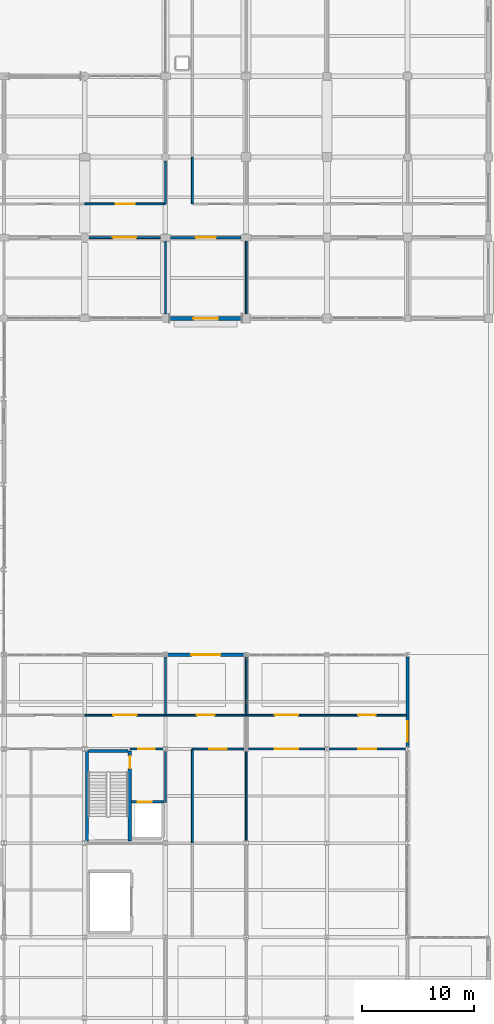
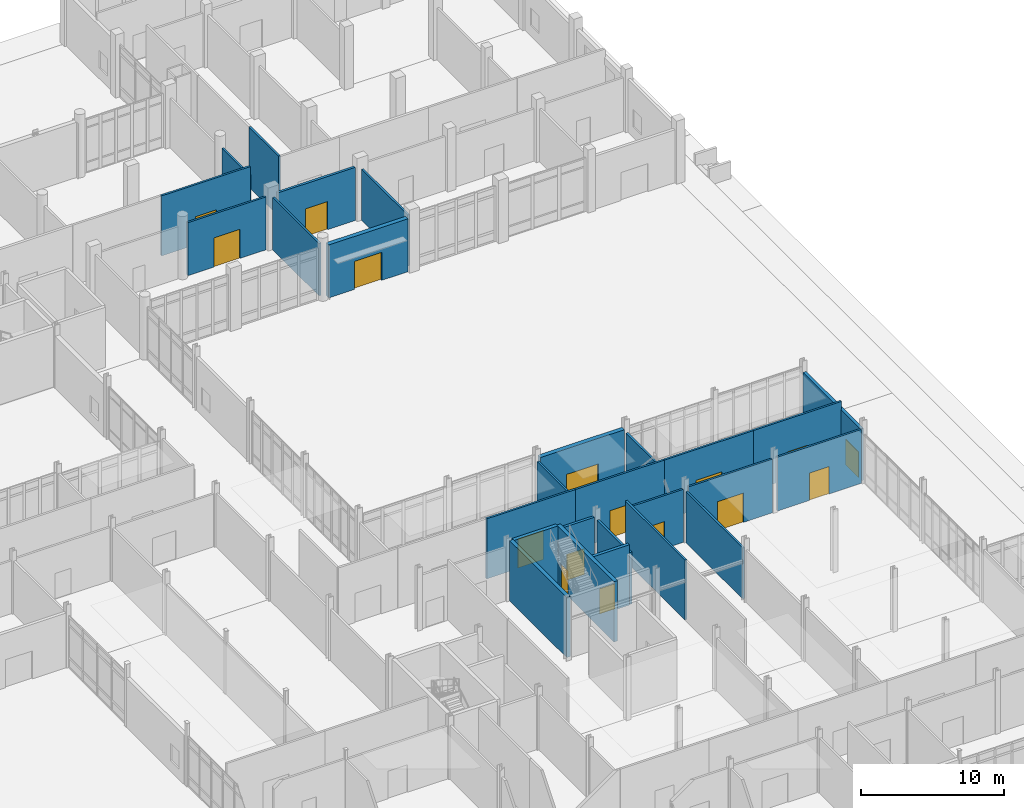
# One storey, part 200 of 229: 27 walls, 16 doors, 16 openings.
"""IFC4 building model written with IfcOpenShell, lengths in metres."""

from ifc_helpers import new_model, si_unit, direction, frame, frame_2d, origin, place, context, subcontext, project, spatial, rectangle, extrude, material, layer, layer_set, type_object, element, fill, save


model = new_model("IFC4")

# Units and contexts
model_context = context("Model", 3, precision=1e-05, world=origin(), true_north=direction((0.0, 1.0)))
body_context = subcontext(model_context, "Body", "Model", "MODEL_VIEW")
ifc_project = project(units=[si_unit("LENGTHUNIT", "METRE"), si_unit("AREAUNIT", "SQUARE_METRE"), si_unit("VOLUMEUNIT", "CUBIC_METRE"), si_unit("PLANEANGLEUNIT", "RADIAN"), si_unit("MASSUNIT", "GRAM", prefix="KILO")], contexts=[model_context])

# Site, building, storey
site_placement = place(None, origin())
site = spatial("IfcSite", under=ifc_project, at=site_placement, CompositionType="ELEMENT")
building_placement = place(site_placement, origin())
building = spatial("IfcBuilding", under=site, at=building_placement, Name="Calvrana Isthmian Art Gallery", CompositionType="ELEMENT")
storey_placement = place(building_placement, origin())
storey = spatial("IfcBuildingStorey", under=building, at=storey_placement, Name="L00", CompositionType="ELEMENT", Elevation=0.0)

# Wall
ifc_material_1 = material(Name="Concrete C40/50", Category="concrete")
ifc_layer_1 = layer(ifc_material_1, 0.300048828125, Name="Concrete C40/50")
ifc_layer_set_1 = layer_set([ifc_layer_1], Name="Concrete C40/50")
wall_type_1 = type_object("IfcWallType", Name="CW-SHAFT-300", PredefinedType="SHEAR", material=ifc_layer_set_1)
wall_1_placement = place(storey_placement, frame((127.39990234375, 30.18994140625, 0.0), z_axis=(0.0, 0.0, 1.0), x_axis=(0.0, 1.0, 0.0)))
element("IfcWall", 1, at=wall_1_placement, inside=storey, type_object=wall_type_1, Name="Core C4 shear wall W L00", PredefinedType="SHEAR", context=body_context, shape_type="SweptSolid", body=[
    extrude(rectangle(XDim=8.02001953125, YDim=0.300048828125, at=frame_2d((4.010009765625, 0.0))), origin(), (0.0, 0.0, 1.0), 5.159912109375),
])

# Wall, opening, door
wall_2_placement = place(storey_placement, frame((131.219970703125, 30.18994140625, 0.0), z_axis=(0.0, 0.0, 1.0), x_axis=(0.0, 1.0, 0.0)))
wall_2 = element("IfcWall", 2, at=wall_2_placement, inside=storey, type_object=wall_type_1, Name="Core C4 shear wall E L00", PredefinedType="SHEAR", context=body_context, shape_type="SweptSolid", body=[
    extrude(rectangle(XDim=8.02001953125, YDim=0.300048828125, at=frame_2d((4.010009765625, 0.0))), origin(), (0.0, 0.0, 1.0), 5.159912109375),
])
opening_1_placement = place(wall_2_placement, frame((6.469970703125, 0.0, 0.0)))
opening_1 = element("IfcOpeningElement", 3, at=opening_1_placement, cuts=wall_2, Name="Opening D-144", PredefinedType="OPENING", context=body_context, shape_type="SweptSolid", body=[
    extrude(rectangle(XDim=1.10009765625, YDim=2.14990234375, at=frame_2d((0.550048828125, 1.074951171875))), frame((0.0, 0.16015625, 0.0), z_axis=(0.0, -1.0, 0.0), x_axis=(1.0, 0.0, 0.0)), (0.0, 0.0, 1.0), 0.320556640625),
])
ifc_material_2 = material(Name="Steel ASTM A572 Gr 50", Category="steel")
door_type_1 = type_object("IfcDoorType", Name="DR-FIRE-1100", OperationType="NOTDEFINED", PredefinedType="DOOR", material=ifc_material_2)
door_1_placement = place(opening_1_placement, origin())
door_1 = element("IfcDoor", 4, at=door_1_placement, inside=storey, type_object=door_type_1, Name="Stair ST-4 fire door L00", OperationType="SINGLE_SWING_LEFT", OverallHeight=2.14990234375, OverallWidth=1.10009765625, PredefinedType="DOOR", context=body_context, shape_type="SweptSolid", body=[
    extrude(rectangle(XDim=1.10009765625, YDim=2.14990234375, at=frame_2d((0.550048828125, 1.074951171875))), frame((0.0, 0.02490234375, 0.0), z_axis=(0.0, -1.0, 0.0), x_axis=(1.0, 0.0, 0.0)), (0.0, 0.0, 1.0), 0.050048828125),
])
fill(opening_1, door_1)

# Wall
wall_3_placement = place(storey_placement, frame((127.550048828125, 38.2099609375, 0.0), z_axis=(0.0, 0.0, 1.0), x_axis=(1.0, 0.0, 0.0)))
element("IfcWall", 5, at=wall_3_placement, inside=storey, type_object=wall_type_1, Name="Core C4 shear wall N L00", PredefinedType="SHEAR", context=body_context, shape_type="SweptSolid", body=[
    extrude(rectangle(XDim=3.52001953125, YDim=0.300048828125, at=frame_2d((1.760009765625, 0.0))), origin(), (0.0, 0.0, 1.0), 5.159912109375),
])

# Wall, opening, door
ifc_material_3 = material(Name="Precast concrete C40/50", Category="concrete")
ifc_layer_2 = layer(ifc_material_3, 0.35009765625, Name="Precast concrete C40/50")
ifc_layer_set_2 = layer_set([ifc_layer_2], Name="Precast concrete C40/50")
wall_type_2 = type_object("IfcWallType", Name="EW-PREC-350", PredefinedType="SOLIDWALL", material=ifc_layer_set_2)
wall_4_placement = place(storey_placement, frame((134.60205078125, 46.800048828125, 0.0), z_axis=(0.0, 0.0, 1.0), x_axis=(1.0, 0.0, 0.0)))
wall_4 = element("IfcWall", 6, at=wall_4_placement, inside=storey, type_object=wall_type_2, Name="Exterior wall EW-014", PredefinedType="SOLIDWALL", context=body_context, shape_type="SweptSolid", body=[
    extrude(rectangle(XDim=6.79833984375, YDim=0.35009765625, at=frame_2d((3.399169921875, 0.0))), origin(), (0.0, 0.0, 1.0), 4.591064453125),
])
opening_2_placement = place(wall_4_placement, frame((2.09912109375, 0.0, 0.0)))
opening_2 = element("IfcOpeningElement", 7, at=opening_2_placement, cuts=wall_4, Name="Opening VG-02", PredefinedType="OPENING", context=body_context, shape_type="SweptSolid", body=[
    extrude(rectangle(XDim=2.60009765625, YDim=2.39990234375, at=frame_2d((1.300048828125, 1.199951171875))), frame((0.0, 0.185302734375, 0.0), z_axis=(0.0, -1.0, 0.0), x_axis=(1.0, 0.0, 0.0)), (0.0, 0.0, 1.0), 0.37060546875),
])
ifc_material_4 = material(Name="Anodized bronze aluminium 6063-T6", Category="aluminium")
door_type_2 = type_object("IfcDoorType", Name="GT-COURT-2600", OperationType="DOUBLE_DOOR_SINGLE_SWING", PredefinedType="GATE", material=ifc_material_4)
door_2_placement = place(opening_2_placement, origin())
door_2 = element("IfcDoor", 8, at=door_2_placement, inside=storey, type_object=door_type_2, Name="Service court security gate VG-02", OperationType="DOUBLE_DOOR_SINGLE_SWING", OverallHeight=2.39990234375, OverallWidth=2.60009765625, PredefinedType="GATE", context=body_context, shape_type="SweptSolid", body=[
    extrude(rectangle(XDim=2.60009765625, YDim=2.39990234375, at=frame_2d((1.300048828125, 1.199951171875))), frame((0.0, 0.02490234375, 0.0), z_axis=(0.0, -1.0, 0.0), x_axis=(1.0, 0.0, 0.0)), (0.0, 0.0, 1.0), 0.050048828125),
])
fill(opening_2, door_2)

wall_5_placement = place(storey_placement, frame((141.199951171875, 76.800048828125, 0.0), z_axis=(0.0, 0.0, 1.0), x_axis=(-1.0, 0.0, 0.0)))
wall_5 = element("IfcWall", 9, at=wall_5_placement, inside=storey, type_object=wall_type_2, Name="Exterior wall EW-018", PredefinedType="SOLIDWALL", context=body_context, shape_type="SweptSolid", body=[
    extrude(rectangle(XDim=6.425048828125, YDim=0.35009765625, at=frame_2d((3.21240234375, 0.0))), origin(), (0.0, 0.0, 1.0), 4.531005859375),
])
opening_3_placement = place(wall_5_placement, frame((2.112548828125, 0.0, 0.0)))
opening_3 = element("IfcOpeningElement", 10, at=opening_3_placement, cuts=wall_5, Name="Opening D-E11", PredefinedType="OPENING", context=body_context, shape_type="SweptSolid", body=[
    extrude(rectangle(XDim=2.199951171875, YDim=2.39990234375, at=frame_2d((1.10009765625, 1.199951171875))), frame((0.0, 0.185302734375, 0.0), z_axis=(0.0, -1.0, 0.0), x_axis=(1.0, 0.0, 0.0)), (0.0, 0.0, 1.0), 0.37060546875),
])
door_type_3 = type_object("IfcDoorType", Name="DR-EXT-MAIN-2200", OperationType="DOUBLE_DOOR_SINGLE_SWING", PredefinedType="DOOR", material=ifc_material_4)
door_3_placement = place(opening_3_placement, origin())
door_3 = element("IfcDoor", 11, at=door_3_placement, inside=storey, type_object=door_type_3, Name="Main entrance pedestrian exit D-E11", OperationType="DOUBLE_DOOR_SINGLE_SWING", OverallHeight=2.39990234375, OverallWidth=2.199951171875, PredefinedType="DOOR", context=body_context, shape_type="SweptSolid", body=[
    extrude(rectangle(XDim=2.199951171875, YDim=2.39990234375, at=frame_2d((1.10009765625, 1.199951171875))), frame((0.0, 0.02490234375, 0.0), z_axis=(0.0, -1.0, 0.0), x_axis=(1.0, 0.0, 0.0)), (0.0, 0.0, 1.0), 0.050048828125),
])
fill(opening_3, door_3)

ifc_material_5 = material(Name="Polychrome glazed terracotta", Category="masonry")
ifc_layer_3 = layer(ifc_material_5, 0.25, Name="Polychrome glazed terracotta")
ifc_layer_set_3 = layer_set([ifc_layer_3], Name="Polychrome glazed terracotta")
wall_type_3 = type_object("IfcWallType", Name="EW-TERRA-250", PredefinedType="SOLIDWALL", material=ifc_layer_set_3)
wall_6_placement = place(storey_placement, frame((156.0, 46.613525390625, 0.0), z_axis=(0.0, 0.0, 1.0), x_axis=(0.0, -1.0, 0.0)))
wall_6 = element("IfcWall", 12, at=wall_6_placement, inside=storey, type_object=wall_type_3, Name="Exterior wall EW-049", PredefinedType="SOLIDWALL", context=body_context, shape_type="SweptSolid", body=[
    extrude(rectangle(XDim=8.029541015625, YDim=0.25, at=frame_2d((4.0146484375, 0.0))), origin(), (0.0, 0.0, 1.0), 4.447021484375),
])
opening_4_placement = place(wall_6_placement, frame((5.763427734375, 0.0, 0.0)))
opening_4 = element("IfcOpeningElement", 13, at=opening_4_placement, cuts=wall_6, Name="Opening D-E26", PredefinedType="OPENING", context=body_context, shape_type="SweptSolid", body=[
    extrude(rectangle(XDim=1.800048828125, YDim=2.199951171875, at=frame_2d((0.89990234375, 1.10009765625))), frame((0.0, 0.13525390625, 0.0), z_axis=(0.0, -1.0, 0.0), x_axis=(1.0, 0.0, 0.0)), (0.0, 0.0, 1.0), 0.2705078125),
])
door_type_4 = type_object("IfcDoorType", Name="DR-EXT-EXIT-1800", OperationType="DOUBLE_DOOR_SINGLE_SWING", PredefinedType="DOOR", material=ifc_material_2)
door_4_placement = place(opening_4_placement, origin())
door_4 = element("IfcDoor", 14, at=door_4_placement, inside=storey, type_object=door_type_4, Name="Protected corridor final exit D-E26", OperationType="DOUBLE_DOOR_SINGLE_SWING", OverallHeight=2.199951171875, OverallWidth=1.800048828125, PredefinedType="DOOR", context=body_context, shape_type="SweptSolid", body=[
    extrude(rectangle(XDim=1.800048828125, YDim=2.199951171875, at=frame_2d((0.89990234375, 1.10009765625))), frame((0.0, 0.02490234375, 0.0), z_axis=(0.0, -1.0, 0.0), x_axis=(1.0, 0.0, 0.0)), (0.0, 0.0, 1.0), 0.050048828125),
])
fill(opening_4, door_4)

# Wall
ifc_material_6 = material(Name="Acoustic gypsum ceiling", Category="gypsum")
ifc_layer_4 = layer(ifc_material_6, 0.199951171875, Name="Acoustic gypsum ceiling")
ifc_layer_set_4 = layer_set([ifc_layer_4], Name="Acoustic gypsum ceiling")
wall_type_4 = type_object("IfcWallType", Name="PW-FIRE-200", PredefinedType="PARTITIONING", material=ifc_layer_set_4)
wall_7_placement = place(storey_placement, frame((134.39990234375, 33.60009765625, 0.0), z_axis=(0.0, 0.0, 1.0), x_axis=(0.0, 1.0, 0.0)))
element("IfcWall", 15, at=wall_7_placement, inside=storey, type_object=wall_type_4, Name="Core C4 lobby east closure L00", PredefinedType="PARTITIONING", context=body_context, shape_type="SweptSolid", body=[
    extrude(rectangle(XDim=4.579833984375, YDim=0.199951171875, at=frame_2d((2.2900390625, 0.0))), origin(), (0.0, 0.0, 1.0), 4.447021484375),
])

# Wall, opening, door
wall_8_placement = place(storey_placement, frame((131.22998046875, 38.39990234375, 0.0), z_axis=(0.0, 0.0, 1.0), x_axis=(1.0, 0.0, 0.0)))
wall_8 = element("IfcWall", 16, at=wall_8_placement, inside=storey, type_object=wall_type_4, Name="Core C4 lobby enclosure L00", PredefinedType="PARTITIONING", context=body_context, shape_type="SweptSolid", body=[
    extrude(rectangle(XDim=2.949951171875, YDim=0.199951171875, at=frame_2d((1.47509765625, 0.0))), origin(), (0.0, 0.0, 1.0), 4.677978515625),
])
opening_5_placement = place(wall_8_placement, frame((0.75, 0.0, 0.0)))
opening_5 = element("IfcOpeningElement", 17, at=opening_5_placement, cuts=wall_8, Name="Opening D-145", PredefinedType="OPENING", context=body_context, shape_type="SweptSolid", body=[
    extrude(rectangle(XDim=1.449951171875, YDim=2.199951171875, at=frame_2d((0.72509765625, 1.10009765625))), frame((0.0, 0.1103515625, 0.0), z_axis=(0.0, -1.0, 0.0), x_axis=(1.0, 0.0, 0.0)), (0.0, 0.0, 1.0), 0.220458984375),
])
door_type_5 = type_object("IfcDoorType", Name="DR-LOBBY-1450", OperationType="DOUBLE_DOOR_SINGLE_SWING", PredefinedType="DOOR", material=ifc_material_2)
door_5_placement = place(opening_5_placement, origin())
door_5 = element("IfcDoor", 18, at=door_5_placement, inside=storey, type_object=door_type_5, Name="Core C4 lobby fire door L00", OperationType="DOUBLE_DOOR_SINGLE_SWING", OverallHeight=2.199951171875, OverallWidth=1.449951171875, PredefinedType="DOOR", context=body_context, shape_type="SweptSolid", body=[
    extrude(rectangle(XDim=1.449951171875, YDim=2.199951171875, at=frame_2d((0.72509765625, 1.10009765625))), frame((0.0, 0.02490234375, 0.0), z_axis=(0.0, -1.0, 0.0), x_axis=(1.0, 0.0, 0.0)), (0.0, 0.0, 1.0), 0.050048828125),
])
fill(opening_5, door_5)

wall_9_placement = place(storey_placement, frame((134.864990234375, 84.0, 0.0), z_axis=(0.0, 0.0, 1.0), x_axis=(1.0, 0.0, 0.0)))
wall_9 = element("IfcWall", 19, at=wall_9_placement, inside=storey, type_object=wall_type_4, Name="Interior partition PW-234", PredefinedType="PARTITIONING", context=body_context, shape_type="SweptSolid", body=[
    extrude(rectangle(XDim=6.27001953125, YDim=0.199951171875, at=frame_2d((3.135009765625, 0.0))), origin(), (0.0, 0.0, 1.0), 4.547119140625),
])
opening_6_placement = place(wall_9_placement, frame((2.235107421875, 0.0, 0.0)))
opening_6 = element("IfcOpeningElement", 20, at=opening_6_placement, cuts=wall_9, Name="Opening D-311", PredefinedType="OPENING", context=body_context, shape_type="SweptSolid", body=[
    extrude(rectangle(XDim=1.800048828125, YDim=2.39990234375, at=frame_2d((0.89990234375, 1.199951171875))), frame((0.0, 0.1103515625, 0.0), z_axis=(0.0, -1.0, 0.0), x_axis=(1.0, 0.0, 0.0)), (0.0, 0.0, 1.0), 0.220458984375),
])
door_type_6 = type_object("IfcDoorType", Name="DR-VAULT-1800", OperationType="DOUBLE_DOOR_SINGLE_SWING", PredefinedType="DOOR", material=ifc_material_2)
door_6_placement = place(opening_6_placement, origin())
door_6 = element("IfcDoor", 21, at=door_6_placement, inside=storey, type_object=door_type_6, Name="Interior door D-311", OperationType="DOUBLE_DOOR_SINGLE_SWING", OverallHeight=2.39990234375, OverallWidth=1.800048828125, PredefinedType="DOOR", context=body_context, shape_type="SweptSolid", body=[
    extrude(rectangle(XDim=1.800048828125, YDim=2.39990234375, at=frame_2d((0.89990234375, 1.199951171875))), frame((0.0, 0.02490234375, 0.0), z_axis=(0.0, -1.0, 0.0), x_axis=(1.0, 0.0, 0.0)), (0.0, 0.0, 1.0), 0.050048828125),
])
fill(opening_6, door_6)

# Wall
ifc_layer_5 = layer(ifc_material_6, 0.159912109375, Name="Acoustic gypsum ceiling")
ifc_layer_set_5 = layer_set([ifc_layer_5], Name="Acoustic gypsum ceiling")
wall_type_5 = type_object("IfcWallType", Name="PW-GAL-160", PredefinedType="PARTITIONING", material=ifc_layer_set_5)
wall_10_placement = place(storey_placement, frame((136.800048828125, 30.02001953125, 0.0), z_axis=(0.0, 0.0, 1.0), x_axis=(0.0, 1.0, 0.0)))
element("IfcWall", 22, at=wall_10_placement, inside=storey, type_object=wall_type_5, Name="Interior partition PW-214", PredefinedType="PARTITIONING", context=body_context, shape_type="SweptSolid", body=[
    extrude(rectangle(XDim=8.35986328125, YDim=0.159912109375, at=frame_2d((4.179931640625, 0.0))), origin(), (0.0, 0.0, 1.0), 5.139892578125),
])

# Wall, opening, door
wall_11_placement = place(storey_placement, frame((136.800048828125, 38.39990234375, 0.0), z_axis=(0.0, 0.0, 1.0), x_axis=(1.0, 0.0, 0.0)))
wall_11 = element("IfcWall", 23, at=wall_11_placement, inside=storey, type_object=wall_type_5, Name="Interior partition PW-215", PredefinedType="PARTITIONING", context=body_context, shape_type="SweptSolid", body=[
    extrude(rectangle(XDim=4.58544921875, YDim=0.159912109375, at=frame_2d((2.292724609375, 0.0))), origin(), (0.0, 0.0, 1.0), 4.532958984375),
])
opening_7_placement = place(wall_11_placement, frame((1.517578125, 0.0, 0.0)))
opening_7 = element("IfcOpeningElement", 24, at=opening_7_placement, cuts=wall_11, Name="Opening D-300", PredefinedType="OPENING", context=body_context, shape_type="SweptSolid", body=[
    extrude(rectangle(XDim=1.550048828125, YDim=2.300048828125, at=frame_2d((0.77490234375, 1.14990234375))), frame((0.0, 0.09033203125, 0.0), z_axis=(0.0, -1.0, 0.0), x_axis=(1.0, 0.0, 0.0)), (0.0, 0.0, 1.0), 0.180419921875),
])
ifc_material_7 = material(Name="Timber gallery flooring", Category="wood")
door_type_7 = type_object("IfcDoorType", Name="DR-AUD-1550", OperationType="DOUBLE_DOOR_SINGLE_SWING", PredefinedType="DOOR", material=ifc_material_7)
door_7_placement = place(opening_7_placement, origin())
door_7 = element("IfcDoor", 25, at=door_7_placement, inside=storey, type_object=door_type_7, Name="Interior door D-300", OperationType="DOUBLE_DOOR_SINGLE_SWING", OverallHeight=2.300048828125, OverallWidth=1.550048828125, PredefinedType="DOOR", context=body_context, shape_type="SweptSolid", body=[
    extrude(rectangle(XDim=1.550048828125, YDim=2.300048828125, at=frame_2d((0.77490234375, 1.14990234375))), frame((0.0, 0.02490234375, 0.0), z_axis=(0.0, -1.0, 0.0), x_axis=(1.0, 0.0, 0.0)), (0.0, 0.0, 1.0), 0.050048828125),
])
fill(opening_7, door_7)

# Wall
wall_12_placement = place(storey_placement, frame((141.60009765625, 30.223388671875, 0.0), z_axis=(0.0, 0.0, 1.0), x_axis=(0.0, 1.0, 0.0)))
element("IfcWall", 26, at=wall_12_placement, inside=storey, type_object=wall_type_5, Name="Interior partition PW-217", PredefinedType="PARTITIONING", context=body_context, shape_type="SweptSolid", body=[
    extrude(rectangle(XDim=7.968505859375, YDim=0.159912109375, at=frame_2d((3.984375, 0.0))), origin(), (0.0, 0.0, 1.0), 4.367919921875),
])

# Wall, opening, door
wall_13_placement = place(storey_placement, frame((141.814453125, 38.39990234375, 0.0), z_axis=(0.0, 0.0, 1.0), x_axis=(1.0, 0.0, 0.0)))
wall_13 = element("IfcWall", 27, at=wall_13_placement, inside=storey, type_object=wall_type_5, Name="Interior partition PW-218", PredefinedType="PARTITIONING", context=body_context, shape_type="SweptSolid", body=[
    extrude(rectangle(XDim=6.783935546875, YDim=0.159912109375, at=frame_2d((3.39208984375, 0.0))), origin(), (0.0, 0.0, 1.0), 4.591064453125),
])
opening_8_placement = place(wall_13_placement, frame((2.342041015625, 0.0, 0.0)))
opening_8 = element("IfcOpeningElement", 28, at=opening_8_placement, cuts=wall_13, Name="Opening D-301", PredefinedType="OPENING", context=body_context, shape_type="SweptSolid", body=[
    extrude(rectangle(XDim=2.10009765625, YDim=2.5, at=frame_2d((1.050048828125, 1.25))), frame((0.0, 0.09033203125, 0.0), z_axis=(0.0, -1.0, 0.0), x_axis=(1.0, 0.0, 0.0)), (0.0, 0.0, 1.0), 0.180419921875),
])
door_type_8 = type_object("IfcDoorType", Name="DR-GAL-2100", OperationType="DOUBLE_DOOR_SINGLE_SWING", PredefinedType="DOOR", material=ifc_material_7)
door_8_placement = place(opening_8_placement, origin())
door_8 = element("IfcDoor", 29, at=door_8_placement, inside=storey, type_object=door_type_8, Name="Interior door D-301", OperationType="DOUBLE_DOOR_SINGLE_SWING", OverallHeight=2.5, OverallWidth=2.10009765625, PredefinedType="DOOR", context=body_context, shape_type="SweptSolid", body=[
    extrude(rectangle(XDim=2.10009765625, YDim=2.5, at=frame_2d((1.050048828125, 1.25))), frame((0.0, 0.02490234375, 0.0), z_axis=(0.0, -1.0, 0.0), x_axis=(1.0, 0.0, 0.0)), (0.0, 0.0, 1.0), 0.050048828125),
])
fill(opening_8, door_8)

wall_14_placement = place(storey_placement, frame((149.00146484375, 38.39990234375, 0.0), z_axis=(0.0, 0.0, 1.0), x_axis=(1.0, 0.0, 0.0)))
wall_14 = element("IfcWall", 30, at=wall_14_placement, inside=storey, type_object=wall_type_5, Name="Interior partition PW-219", PredefinedType="PARTITIONING", context=body_context, shape_type="SweptSolid", body=[
    extrude(rectangle(XDim=6.797119140625, YDim=0.159912109375, at=frame_2d((3.3984375, 0.0))), origin(), (0.0, 0.0, 1.0), 4.60693359375),
])
opening_9_placement = place(wall_14_placement, frame((2.598388671875, 0.0, 0.0)))
opening_9 = element("IfcOpeningElement", 31, at=opening_9_placement, cuts=wall_14, Name="Opening D-302", PredefinedType="OPENING", context=body_context, shape_type="SweptSolid", body=[
    extrude(rectangle(XDim=1.60009765625, YDim=2.35009765625, at=frame_2d((0.800048828125, 1.175048828125))), frame((0.0, 0.09033203125, 0.0), z_axis=(0.0, -1.0, 0.0), x_axis=(1.0, 0.0, 0.0)), (0.0, 0.0, 1.0), 0.180419921875),
])
door_type_9 = type_object("IfcDoorType", Name="DR-GAL-1600", OperationType="DOUBLE_DOOR_SINGLE_SWING", PredefinedType="DOOR", material=ifc_material_7)
door_9_placement = place(opening_9_placement, origin())
door_9 = element("IfcDoor", 32, at=door_9_placement, inside=storey, type_object=door_type_9, Name="Interior door D-302", OperationType="DOUBLE_DOOR_SINGLE_SWING", OverallHeight=2.35009765625, OverallWidth=1.60009765625, PredefinedType="DOOR", context=body_context, shape_type="SweptSolid", body=[
    extrude(rectangle(XDim=1.60009765625, YDim=2.35009765625, at=frame_2d((0.800048828125, 1.175048828125))), frame((0.0, 0.02490234375, 0.0), z_axis=(0.0, -1.0, 0.0), x_axis=(1.0, 0.0, 0.0)), (0.0, 0.0, 1.0), 0.050048828125),
])
fill(opening_9, door_9)

wall_15_placement = place(storey_placement, frame((127.2099609375, 41.409912109375, 0.0), z_axis=(0.0, 0.0, 1.0), x_axis=(1.0, 0.0, 0.0)))
wall_15 = element("IfcWall", 33, at=wall_15_placement, inside=storey, type_object=wall_type_5, Name="Interior partition PW-224", PredefinedType="PARTITIONING", context=body_context, shape_type="SweptSolid", body=[
    extrude(rectangle(XDim=7.179931640625, YDim=0.159912109375, at=frame_2d((3.58984375, 0.0))), origin(), (0.0, 0.0, 1.0), 5.139892578125),
])
opening_10_placement = place(wall_15_placement, frame((2.5400390625, 0.0, 0.0)))
opening_10 = element("IfcOpeningElement", 34, at=opening_10_placement, cuts=wall_15, Name="Opening D-305", PredefinedType="OPENING", context=body_context, shape_type="SweptSolid", body=[
    extrude(rectangle(XDim=2.10009765625, YDim=2.5, at=frame_2d((1.050048828125, 1.25))), frame((0.0, 0.09033203125, 0.0), z_axis=(0.0, -1.0, 0.0), x_axis=(1.0, 0.0, 0.0)), (0.0, 0.0, 1.0), 0.180419921875),
])
door_10_placement = place(opening_10_placement, origin())
door_10 = element("IfcDoor", 35, at=door_10_placement, inside=storey, type_object=door_type_8, Name="Interior door D-305", OperationType="DOUBLE_DOOR_SINGLE_SWING", OverallHeight=2.5, OverallWidth=2.10009765625, PredefinedType="DOOR", context=body_context, shape_type="SweptSolid", body=[
    extrude(rectangle(XDim=2.10009765625, YDim=2.5, at=frame_2d((1.050048828125, 1.25))), frame((0.0, 0.02490234375, 0.0), z_axis=(0.0, -1.0, 0.0), x_axis=(1.0, 0.0, 0.0)), (0.0, 0.0, 1.0), 0.050048828125),
])
fill(opening_10, door_10)

# Wall
wall_16_placement = place(storey_placement, frame((134.39990234375, 41.419921875, 0.0), z_axis=(0.0, 0.0, 1.0), x_axis=(0.0, 1.0, 0.0)))
element("IfcWall", 36, at=wall_16_placement, inside=storey, type_object=wall_type_5, Name="Interior partition PW-225", PredefinedType="PARTITIONING", context=body_context, shape_type="SweptSolid", body=[
    extrude(rectangle(XDim=5.162109375, YDim=0.159912109375, at=frame_2d((2.5810546875, 0.0))), origin(), (0.0, 0.0, 1.0), 4.367919921875),
])

# Wall, opening, door
wall_17_placement = place(storey_placement, frame((134.409912109375, 41.409912109375, 0.0), z_axis=(0.0, 0.0, 1.0), x_axis=(1.0, 0.0, 0.0)))
wall_17 = element("IfcWall", 37, at=wall_17_placement, inside=storey, type_object=wall_type_5, Name="Interior partition PW-226", PredefinedType="PARTITIONING", context=body_context, shape_type="SweptSolid", body=[
    extrude(rectangle(XDim=7.18017578125, YDim=0.159912109375, at=frame_2d((3.590087890625, 0.0))), origin(), (0.0, 0.0, 1.0), 5.139892578125),
])
opening_11_placement = place(wall_17_placement, frame((2.7900390625, 0.0, 0.0)))
opening_11 = element("IfcOpeningElement", 38, at=opening_11_placement, cuts=wall_17, Name="Opening D-306", PredefinedType="OPENING", context=body_context, shape_type="SweptSolid", body=[
    extrude(rectangle(XDim=1.60009765625, YDim=2.35009765625, at=frame_2d((0.800048828125, 1.175048828125))), frame((0.0, 0.09033203125, 0.0), z_axis=(0.0, -1.0, 0.0), x_axis=(1.0, 0.0, 0.0)), (0.0, 0.0, 1.0), 0.180419921875),
])
door_11_placement = place(opening_11_placement, origin())
door_11 = element("IfcDoor", 39, at=door_11_placement, inside=storey, type_object=door_type_9, Name="Interior door D-306", OperationType="DOUBLE_DOOR_SINGLE_SWING", OverallHeight=2.35009765625, OverallWidth=1.60009765625, PredefinedType="DOOR", context=body_context, shape_type="SweptSolid", body=[
    extrude(rectangle(XDim=1.60009765625, YDim=2.35009765625, at=frame_2d((0.800048828125, 1.175048828125))), frame((0.0, 0.02490234375, 0.0), z_axis=(0.0, -1.0, 0.0), x_axis=(1.0, 0.0, 0.0)), (0.0, 0.0, 1.0), 0.050048828125),
])
fill(opening_11, door_11)

# Wall
wall_18_placement = place(storey_placement, frame((141.60009765625, 41.419921875, 0.0), z_axis=(0.0, 0.0, 1.0), x_axis=(0.0, 1.0, 0.0)))
element("IfcWall", 40, at=wall_18_placement, inside=storey, type_object=wall_type_5, Name="Interior partition PW-227", PredefinedType="PARTITIONING", context=body_context, shape_type="SweptSolid", body=[
    extrude(rectangle(XDim=5.16796875, YDim=0.159912109375, at=frame_2d((2.583984375, 0.0))), origin(), (0.0, 0.0, 1.0), 4.283935546875),
])

# Wall, opening, door
wall_19_placement = place(storey_placement, frame((141.610107421875, 41.409912109375, 0.0), z_axis=(0.0, 0.0, 1.0), x_axis=(1.0, 0.0, 0.0)))
wall_19 = element("IfcWall", 41, at=wall_19_placement, inside=storey, type_object=wall_type_5, Name="Interior partition PW-228", PredefinedType="PARTITIONING", context=body_context, shape_type="SweptSolid", body=[
    extrude(rectangle(XDim=7.179931640625, YDim=0.159912109375, at=frame_2d((3.58984375, 0.0))), origin(), (0.0, 0.0, 1.0), 5.139892578125),
])
opening_12_placement = place(wall_19_placement, frame((2.5400390625, 0.0, 0.0)))
opening_12 = element("IfcOpeningElement", 42, at=opening_12_placement, cuts=wall_19, Name="Opening D-307", PredefinedType="OPENING", context=body_context, shape_type="SweptSolid", body=[
    extrude(rectangle(XDim=2.10009765625, YDim=2.5, at=frame_2d((1.050048828125, 1.25))), frame((0.0, 0.09033203125, 0.0), z_axis=(0.0, -1.0, 0.0), x_axis=(1.0, 0.0, 0.0)), (0.0, 0.0, 1.0), 0.180419921875),
])
door_12_placement = place(opening_12_placement, origin())
door_12 = element("IfcDoor", 43, at=door_12_placement, inside=storey, type_object=door_type_8, Name="Interior door D-307", OperationType="DOUBLE_DOOR_SINGLE_SWING", OverallHeight=2.5, OverallWidth=2.10009765625, PredefinedType="DOOR", context=body_context, shape_type="SweptSolid", body=[
    extrude(rectangle(XDim=2.10009765625, YDim=2.5, at=frame_2d((1.050048828125, 1.25))), frame((0.0, 0.02490234375, 0.0), z_axis=(0.0, -1.0, 0.0), x_axis=(1.0, 0.0, 0.0)), (0.0, 0.0, 1.0), 0.050048828125),
])
fill(opening_12, door_12)

wall_20_placement = place(storey_placement, frame((148.81005859375, 41.409912109375, 0.0), z_axis=(0.0, 0.0, 1.0), x_axis=(1.0, 0.0, 0.0)))
wall_20 = element("IfcWall", 44, at=wall_20_placement, inside=storey, type_object=wall_type_5, Name="Interior partition PW-229", PredefinedType="PARTITIONING", context=body_context, shape_type="SweptSolid", body=[
    extrude(rectangle(XDim=7.1298828125, YDim=0.159912109375, at=frame_2d((3.56494140625, 0.0))), origin(), (0.0, 0.0, 1.0), 5.139892578125),
])
opening_13_placement = place(wall_20_placement, frame((2.764892578125, 0.0, 0.0)))
opening_13 = element("IfcOpeningElement", 45, at=opening_13_placement, cuts=wall_20, Name="Opening D-308", PredefinedType="OPENING", context=body_context, shape_type="SweptSolid", body=[
    extrude(rectangle(XDim=1.60009765625, YDim=2.35009765625, at=frame_2d((0.800048828125, 1.175048828125))), frame((0.0, 0.09033203125, 0.0), z_axis=(0.0, -1.0, 0.0), x_axis=(1.0, 0.0, 0.0)), (0.0, 0.0, 1.0), 0.180419921875),
])
door_13_placement = place(opening_13_placement, origin())
door_13 = element("IfcDoor", 46, at=door_13_placement, inside=storey, type_object=door_type_9, Name="Interior door D-308", OperationType="DOUBLE_DOOR_SINGLE_SWING", OverallHeight=2.35009765625, OverallWidth=1.60009765625, PredefinedType="DOOR", context=body_context, shape_type="SweptSolid", body=[
    extrude(rectangle(XDim=1.60009765625, YDim=2.35009765625, at=frame_2d((0.800048828125, 1.175048828125))), frame((0.0, 0.02490234375, 0.0), z_axis=(0.0, -1.0, 0.0), x_axis=(1.0, 0.0, 0.0)), (0.0, 0.0, 1.0), 0.050048828125),
])
fill(opening_13, door_13)

wall_21_placement = place(storey_placement, frame((127.590087890625, 84.0, 0.0), z_axis=(0.0, 0.0, 1.0), x_axis=(1.0, 0.0, 0.0)))
wall_21 = element("IfcWall", 47, at=wall_21_placement, inside=storey, type_object=wall_type_5, Name="Interior partition PW-232", PredefinedType="PARTITIONING", context=body_context, shape_type="SweptSolid", body=[
    extrude(rectangle(XDim=6.344970703125, YDim=0.159912109375, at=frame_2d((3.17236328125, 0.0))), origin(), (0.0, 0.0, 1.0), 4.531005859375),
])
opening_14_placement = place(wall_21_placement, frame((2.12255859375, 0.0, 0.0)))
opening_14 = element("IfcOpeningElement", 48, at=opening_14_placement, cuts=wall_21, Name="Opening D-310", PredefinedType="OPENING", context=body_context, shape_type="SweptSolid", body=[
    extrude(rectangle(XDim=2.10009765625, YDim=2.5, at=frame_2d((1.050048828125, 1.25))), frame((0.0, 0.09033203125, 0.0), z_axis=(0.0, -1.0, 0.0), x_axis=(1.0, 0.0, 0.0)), (0.0, 0.0, 1.0), 0.180419921875),
])
door_14_placement = place(opening_14_placement, origin())
door_14 = element("IfcDoor", 49, at=door_14_placement, inside=storey, type_object=door_type_8, Name="Interior door D-310", OperationType="DOUBLE_DOOR_SINGLE_SWING", OverallHeight=2.5, OverallWidth=2.10009765625, PredefinedType="DOOR", context=body_context, shape_type="SweptSolid", body=[
    extrude(rectangle(XDim=2.10009765625, YDim=2.5, at=frame_2d((1.050048828125, 1.25))), frame((0.0, 0.02490234375, 0.0), z_axis=(0.0, -1.0, 0.0), x_axis=(1.0, 0.0, 0.0)), (0.0, 0.0, 1.0), 0.050048828125),
])
fill(opening_14, door_14)

# Walls
wall_22_placement = place(storey_placement, frame((134.39990234375, 77.18994140625, 0.0), z_axis=(0.0, 0.0, 1.0), x_axis=(0.0, 1.0, 0.0)))
element("IfcWall", 50, at=wall_22_placement, inside=storey, type_object=wall_type_5, Name="Interior partition PW-233", PredefinedType="PARTITIONING", context=body_context, shape_type="SweptSolid", body=[
    extrude(rectangle(XDim=6.4951171875, YDim=0.159912109375, at=frame_2d((3.24755859375, 0.0))), origin(), (0.0, 0.0, 1.0), 4.47998046875),
])
wall_23_placement = place(storey_placement, frame((141.60009765625, 77.215087890625, 0.0), z_axis=(0.0, 0.0, 1.0), x_axis=(0.0, 1.0, 0.0)))
element("IfcWall", 51, at=wall_23_placement, inside=storey, type_object=wall_type_5, Name="Interior partition PW-235", PredefinedType="PARTITIONING", context=body_context, shape_type="SweptSolid", body=[
    extrude(rectangle(XDim=6.469970703125, YDim=0.159912109375, at=frame_2d((3.23486328125, 0.0))), origin(), (0.0, 0.0, 1.0), 4.3798828125),
])

# Wall, opening, door
wall_24_placement = place(storey_placement, frame((127.2099609375, 87.010009765625, 0.0), z_axis=(0.0, 0.0, 1.0), x_axis=(1.0, 0.0, 0.0)))
wall_24 = element("IfcWall", 52, at=wall_24_placement, inside=storey, type_object=wall_type_5, Name="Interior partition PW-244", PredefinedType="PARTITIONING", context=body_context, shape_type="SweptSolid", body=[
    extrude(rectangle(XDim=7.179931640625, YDim=0.159912109375, at=frame_2d((3.58984375, 0.0))), origin(), (0.0, 0.0, 1.0), 5.139892578125),
])
opening_15_placement = place(wall_24_placement, frame((2.739990234375, 0.0, 0.0)))
opening_15 = element("IfcOpeningElement", 53, at=opening_15_placement, cuts=wall_24, Name="Opening D-317", PredefinedType="OPENING", context=body_context, shape_type="SweptSolid", body=[
    extrude(rectangle(XDim=1.699951171875, YDim=2.39990234375, at=frame_2d((0.85009765625, 1.199951171875))), frame((0.0, 0.09033203125, 0.0), z_axis=(0.0, -1.0, 0.0), x_axis=(1.0, 0.0, 0.0)), (0.0, 0.0, 1.0), 0.180419921875),
])
door_type_10 = type_object("IfcDoorType", Name="DR-GAL-1700", OperationType="DOUBLE_DOOR_SINGLE_SWING", PredefinedType="DOOR", material=ifc_material_7)
door_15_placement = place(opening_15_placement, origin())
door_15 = element("IfcDoor", 54, at=door_15_placement, inside=storey, type_object=door_type_10, Name="Interior door D-317", OperationType="DOUBLE_DOOR_SINGLE_SWING", OverallHeight=2.39990234375, OverallWidth=1.699951171875, PredefinedType="DOOR", context=body_context, shape_type="SweptSolid", body=[
    extrude(rectangle(XDim=1.699951171875, YDim=2.39990234375, at=frame_2d((0.85009765625, 1.199951171875))), frame((0.0, 0.02490234375, 0.0), z_axis=(0.0, -1.0, 0.0), x_axis=(1.0, 0.0, 0.0)), (0.0, 0.0, 1.0), 0.050048828125),
])
fill(opening_15, door_15)

# Walls
wall_25_placement = place(storey_placement, frame((134.39990234375, 87.02001953125, 0.0), z_axis=(0.0, 0.0, 1.0), x_axis=(0.0, 1.0, 0.0)))
element("IfcWall", 55, at=wall_25_placement, inside=storey, type_object=wall_type_5, Name="Interior partition PW-245", PredefinedType="PARTITIONING", context=body_context, shape_type="SweptSolid", body=[
    extrude(rectangle(XDim=3.7900390625, YDim=0.159912109375, at=frame_2d((1.89501953125, 0.0))), origin(), (0.0, 0.0, 1.0), 4.3798828125),
])
wall_26_placement = place(storey_placement, frame((136.800048828125, 87.030029296875, 0.0), z_axis=(0.0, 0.0, 1.0), x_axis=(0.0, 1.0, 0.0)))
element("IfcWall", 56, at=wall_26_placement, inside=storey, type_object=wall_type_5, Name="Interior partition PW-247", PredefinedType="PARTITIONING", context=body_context, shape_type="SweptSolid", body=[
    extrude(rectangle(XDim=4.14990234375, YDim=0.159912109375, at=frame_2d((2.074951171875, 0.0))), origin(), (0.0, 0.0, 1.0), 5.139892578125),
])

# Wall, opening, door
ifc_material_8 = material(Name="Concrete C35/45", Category="concrete")
ifc_layer_6 = layer(ifc_material_8, 0.25, Name="Concrete C35/45")
ifc_layer_set_6 = layer_set([ifc_layer_6], Name="Concrete C35/45")
wall_type_6 = type_object("IfcWallType", Name="PW-SHAFT-250", PredefinedType="PARTITIONING", material=ifc_layer_set_6)
wall_27_placement = place(storey_placement, frame((131.3701171875, 33.679931640625, 0.0), z_axis=(0.0, 0.0, 1.0), x_axis=(1.0, 0.0, 0.0)))
wall_27 = element("IfcWall", 57, at=wall_27_placement, inside=storey, type_object=wall_type_6, Name="Lift EL-04 shaft wall N L00", PredefinedType="PARTITIONING", context=body_context, shape_type="SweptSolid", body=[
    extrude(rectangle(XDim=2.909912109375, YDim=0.25, at=frame_2d((1.455078125, 0.0))), origin(), (0.0, 0.0, 1.0), 5.159912109375),
])
opening_16_placement = place(wall_27_placement, frame((0.550048828125, 0.0, 0.0)))
opening_16 = element("IfcOpeningElement", 58, at=opening_16_placement, cuts=wall_27, Name="Opening LD-04-L00", PredefinedType="OPENING", context=body_context, shape_type="SweptSolid", body=[
    extrude(rectangle(XDim=1.25, YDim=2.14990234375, at=frame_2d((0.625, 1.074951171875))), frame((0.0, 0.13525390625, 0.0), z_axis=(0.0, -1.0, 0.0), x_axis=(1.0, 0.0, 0.0)), (0.0, 0.0, 1.0), 0.2705078125),
])
ifc_material_9 = material(Name="Stainless steel 316", Category="steel")
door_type_11 = type_object("IfcDoorType", Name="DR-LIFT-1250", OperationType="DOUBLE_DOOR_SLIDING", PredefinedType="DOOR", material=ifc_material_9)
door_16_placement = place(opening_16_placement, origin())
door_16 = element("IfcDoor", 59, at=door_16_placement, inside=storey, type_object=door_type_11, Name="Lift EL-04 sliding landing door L00", OperationType="DOUBLE_DOOR_SLIDING", OverallHeight=2.14990234375, OverallWidth=1.25, PredefinedType="DOOR", context=body_context, shape_type="SweptSolid", body=[
    extrude(rectangle(XDim=1.25, YDim=2.14990234375, at=frame_2d((0.625, 1.074951171875))), frame((0.0, 0.02490234375, 0.0), z_axis=(0.0, -1.0, 0.0), x_axis=(1.0, 0.0, 0.0)), (0.0, 0.0, 1.0), 0.050048828125),
])
fill(opening_16, door_16)

save(model, "model.ifc")
